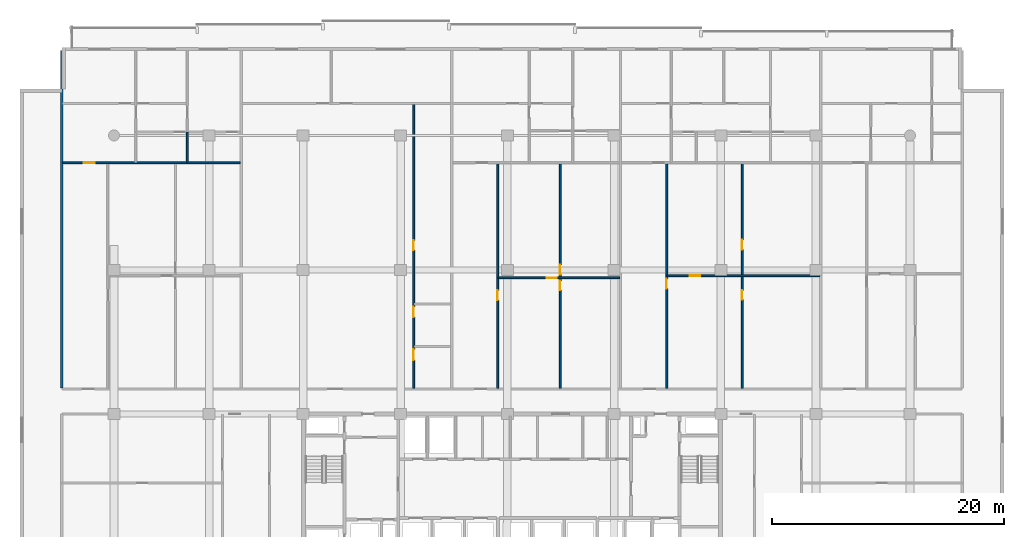
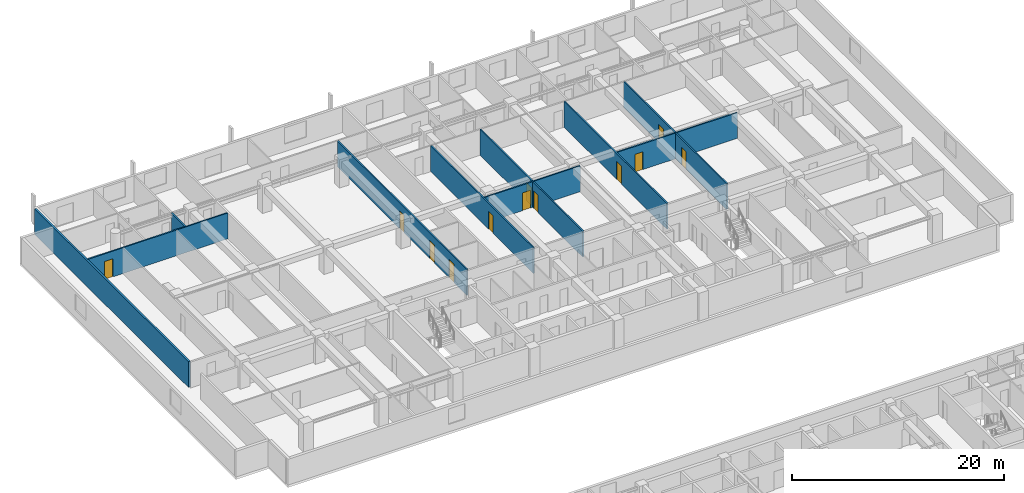
# One storey, part 13 of 23: 12 doors, 10 walls, 12 openings.
"""IFC4 building model written with IfcOpenShell, lengths in metres."""

from ifc_helpers import new_model, si_unit, direction, frame, frame_2d, origin, place, context, subcontext, project, spatial, rectangle, extrude, material, layer, layer_set, type_object, element, fill, save


model = new_model("IFC4")

# Units and contexts
model_context = context("Model", 3, precision=1e-05, world=origin(), true_north=direction((0.0, 1.0)))
body_context = subcontext(model_context, "Body", "Model", "MODEL_VIEW")
ifc_project = project(units=[si_unit("LENGTHUNIT", "METRE"), si_unit("AREAUNIT", "SQUARE_METRE"), si_unit("VOLUMEUNIT", "CUBIC_METRE"), si_unit("PLANEANGLEUNIT", "RADIAN"), si_unit("MASSUNIT", "GRAM", prefix="KILO")], contexts=[model_context])

# Site, building, storey
site_placement = place(None, origin())
site = spatial("IfcSite", under=ifc_project, at=site_placement, CompositionType="ELEMENT")
building_placement = place(site_placement, origin())
building = spatial("IfcBuilding", under=site, at=building_placement, Name="Korimba Cascade Residences", CompositionType="ELEMENT")
storey_placement = place(building_placement, frame((0.0, 0.0, 50.0)))
storey = spatial("IfcBuildingStorey", under=building, at=storey_placement, Name="L13", CompositionType="ELEMENT", Elevation=50.0)

# Walls
ifc_material_1 = material(Name="Precast concrete C40/50", Category="concrete")
ifc_layer_1 = layer(ifc_material_1, 0.199951171875)
ifc_layer_set_1 = layer_set([ifc_layer_1], Name="Precast concrete C40/50")
wall_type_1 = type_object("IfcWallType", Name="WAL-IT-200", PredefinedType="PARTITIONING", material=ifc_layer_set_1)
wall_1_placement = place(storey_placement, frame((55.300048828125, 69.429931640625, 0.0), z_axis=(0.0, 0.0, 1.0), x_axis=(0.0, 1.0, 0.0)))
element("IfcWall", 1, at=wall_1_placement, inside=storey, type_object=wall_type_1, Name="L13 Partition Wall WAL-L13-T1-BNDWL", PredefinedType="PARTITIONING", context=body_context, shape_type="SweptSolid", body=[
    extrude(rectangle(XDim=29.070068359375, YDim=0.199951171875, at=frame_2d((14.53515625, 0.0))), origin(), (0.0, 0.0, 1.0), 2.969970703125),
])
ifc_material_2 = material(Name="Insulated Acoustic Stud Partition", Category="gypsum")
ifc_layer_2 = layer(ifc_material_2, 0.14990234375)
ifc_layer_set_2 = layer_set([ifc_layer_2], Name="Insulated Acoustic Stud Partition")
wall_type_2 = type_object("IfcWallType", Name="WAL-PART-150", PredefinedType="PARTITIONING", material=ifc_layer_set_2)
wall_2_placement = place(storey_placement, frame((66.1201171875, 88.889892578125, 0.0), z_axis=(0.0, 0.0, 1.0), x_axis=(0.0, 1.0, 0.0)))
element("IfcWall", 2, at=wall_2_placement, inside=storey, type_object=wall_type_2, Name="L13 Partition Wall WAL-L13-T1-U01-VBATH", PredefinedType="PARTITIONING", context=body_context, shape_type="SweptSolid", body=[
    extrude(rectangle(XDim=2.580078125, YDim=0.14990234375, at=frame_2d((1.2900390625, 0.0))), origin(), (0.0, 0.0, 1.0), 2.969970703125),
])

# Wall, opening, door
wall_3_placement = place(storey_placement, frame((55.3798828125, 88.85009765625, 0.0), z_axis=(0.0, 0.0, 1.0), x_axis=(1.0, 0.0, 0.0)))
wall_3 = element("IfcWall", 3, at=wall_3_placement, inside=storey, type_object=wall_type_2, Name="L13 Partition Wall WAL-L13-T1-U01-MW", PredefinedType="PARTITIONING", context=body_context, shape_type="SweptSolid", body=[
    extrude(rectangle(XDim=15.29541015625, YDim=0.14990234375, at=frame_2d((7.647705078125, 0.0))), origin(), (0.0, 0.0, 1.0), 2.969970703125),
])
opening_1_placement = place(wall_3_placement, frame((1.830810546875, 0.0, 0.0)))
opening_1 = element("IfcOpeningElement", 4, at=opening_1_placement, cuts=wall_3, Name="Opening D-IN1", PredefinedType="OPENING", context=body_context, shape_type="SweptSolid", body=[
    extrude(rectangle(XDim=0.919921875, YDim=2.080078125, at=frame_2d((0.4599609375, 1.0400390625))), frame((0.0, 0.0849609375, 0.0), z_axis=(0.0, -1.0, 0.0), x_axis=(1.0, 0.0, 0.0)), (0.0, 0.0, 1.0), 0.169921875),
])
ifc_material_3 = material(Name="Acoustic Timber Living Door", Category="wood")
door_type_1 = type_object("IfcDoorType", Name="DR-INT-920", OperationType="NOTDEFINED", PredefinedType="DOOR", material=ifc_material_3)
door_1_placement = place(opening_1_placement, origin())
door_1 = element("IfcDoor", 5, at=door_1_placement, inside=storey, type_object=door_type_1, Name="L13-T1-U01 Kitchen Door", OperationType="SINGLE_SWING_RIGHT", OverallHeight=2.080078125, OverallWidth=0.919921875, PredefinedType="DOOR", context=body_context, shape_type="SweptSolid", body=[
    extrude(rectangle(XDim=0.919921875, YDim=2.080078125, at=frame_2d((0.4599609375, 1.0400390625))), frame((0.0, 0.02490234375, 0.0), z_axis=(0.0, -1.0, 0.0), x_axis=(1.0, 0.0, 0.0)), (0.0, 0.0, 1.0), 0.050048828125),
])
fill(opening_1, door_1)

# Wall, openings, doors
wall_4_placement = place(storey_placement, frame((85.624267578125, 69.409912109375, 0.0), z_axis=(0.0, 0.0, 1.0), x_axis=(0.0, 1.0, 0.0)))
wall_4 = element("IfcWall", 6, at=wall_4_placement, inside=storey, type_object=wall_type_2, Name="L13 Partition Wall WAL-L13-T1-U02-WCV", PredefinedType="PARTITIONING", context=body_context, shape_type="SweptSolid", body=[
    extrude(rectangle(XDim=24.47998046875, YDim=0.14990234375, at=frame_2d((12.239990234375, 0.0))), origin(), (0.0, 0.0, 1.0), 2.969970703125),
])
opening_2_placement = place(wall_4_placement, frame((2.406005859375, 0.0, 0.0)))
opening_2 = element("IfcOpeningElement", 7, at=opening_2_placement, cuts=wall_4, Name="Opening D-AC1", PredefinedType="OPENING", context=body_context, shape_type="SweptSolid", body=[
    extrude(rectangle(XDim=0.9599609375, YDim=2.10009765625, at=frame_2d((0.47998046875, 1.050048828125))), frame((0.0, 0.0849609375, 0.0), z_axis=(0.0, -1.0, 0.0), x_axis=(1.0, 0.0, 0.0)), (0.0, 0.0, 1.0), 0.169921875),
])
opening_3_placement = place(wall_4_placement, frame((6.132568359375, 0.0, 0.0)))
opening_3 = element("IfcOpeningElement", 8, at=opening_3_placement, cuts=wall_4, Name="Opening D-IN2", PredefinedType="OPENING", context=body_context, shape_type="SweptSolid", body=[
    extrude(rectangle(XDim=0.8798828125, YDim=2.06005859375, at=frame_2d((0.43994140625, 1.030029296875))), frame((0.0, 0.0849609375, 0.0), z_axis=(0.0, -1.0, 0.0), x_axis=(1.0, 0.0, 0.0)), (0.0, 0.0, 1.0), 0.169921875),
])
opening_4_placement = place(wall_4_placement, frame((11.91748046875, 0.0, 0.0)))
opening_4 = element("IfcOpeningElement", 9, at=opening_4_placement, cuts=wall_4, Name="Opening D-BT1", PredefinedType="OPENING", context=body_context, shape_type="SweptSolid", body=[
    extrude(rectangle(XDim=0.840087890625, YDim=2.0400390625, at=frame_2d((0.419921875, 1.02001953125))), frame((0.0, 0.0849609375, 0.0), z_axis=(0.0, -1.0, 0.0), x_axis=(1.0, 0.0, 0.0)), (0.0, 0.0, 1.0), 0.169921875),
])
ifc_material_4 = material(Name="Accessible Acoustic Timber WC Door", Category="wood")
door_type_2 = type_object("IfcDoorType", Name="DR-ACC-950", OperationType="NOTDEFINED", PredefinedType="DOOR", material=ifc_material_4)
door_2_placement = place(opening_2_placement, origin())
door_2 = element("IfcDoor", 10, at=door_2_placement, inside=storey, type_object=door_type_2, Name="L13-T1-U02 Accessible WC Door", OperationType="SINGLE_SWING_LEFT", OverallHeight=2.10009765625, OverallWidth=0.9599609375, PredefinedType="DOOR", context=body_context, shape_type="SweptSolid", body=[
    extrude(rectangle(XDim=0.9599609375, YDim=2.10009765625, at=frame_2d((0.47998046875, 1.050048828125))), frame((0.0, 0.02490234375, 0.0), z_axis=(0.0, -1.0, 0.0), x_axis=(1.0, 0.0, 0.0)), (0.0, 0.0, 1.0), 0.050048828125),
])
fill(opening_2, door_2)
ifc_material_5 = material(Name="Moisture-Resistant Bathroom Timber Door", Category="wood")
door_type_3 = type_object("IfcDoorType", Name="DR-INT-850", OperationType="NOTDEFINED", PredefinedType="DOOR", material=ifc_material_5)
door_3_placement = place(opening_4_placement, origin())
door_3 = element("IfcDoor", 11, at=door_3_placement, inside=storey, type_object=door_type_3, Name="L13-T1-U02 Suite Store Door", OperationType="SINGLE_SWING_LEFT", OverallHeight=2.0400390625, OverallWidth=0.840087890625, PredefinedType="DOOR", context=body_context, shape_type="SweptSolid", body=[
    extrude(rectangle(XDim=0.840087890625, YDim=2.0400390625, at=frame_2d((0.419921875, 1.02001953125))), frame((0.0, 0.02490234375, 0.0), z_axis=(0.0, -1.0, 0.0), x_axis=(1.0, 0.0, 0.0)), (0.0, 0.0, 1.0), 0.050048828125),
])
fill(opening_4, door_3)
ifc_material_6 = material(Name="Acoustic Timber Bedroom Door", Category="wood")
door_type_4 = type_object("IfcDoorType", Name="DR-INT-880", OperationType="NOTDEFINED", PredefinedType="DOOR", material=ifc_material_6)
door_4_placement = place(opening_3_placement, origin())
door_4 = element("IfcDoor", 12, at=door_4_placement, inside=storey, type_object=door_type_4, Name="L13-T1-U02 Restroom WC Door", OperationType="SINGLE_SWING_RIGHT", OverallHeight=2.06005859375, OverallWidth=0.8798828125, PredefinedType="DOOR", context=body_context, shape_type="SweptSolid", body=[
    extrude(rectangle(XDim=0.8798828125, YDim=2.06005859375, at=frame_2d((0.43994140625, 1.030029296875))), frame((0.0, 0.02490234375, 0.0), z_axis=(0.0, -1.0, 0.0), x_axis=(1.0, 0.0, 0.0)), (0.0, 0.0, 1.0), 0.050048828125),
])
fill(opening_3, door_4)

wall_5_placement = place(storey_placement, frame((98.2509765625, 69.409912109375, 0.0), z_axis=(0.0, 0.0, 1.0), x_axis=(0.0, 1.0, 0.0)))
wall_5 = element("IfcWall", 13, at=wall_5_placement, inside=storey, type_object=wall_type_2, Name="L13 Partition Wall WAL-L13-T1-U03-FMV", PredefinedType="PARTITIONING", context=body_context, shape_type="SweptSolid", body=[
    extrude(rectangle(XDim=19.400146484375, YDim=0.14990234375, at=frame_2d((9.7001953125, 0.0))), origin(), (0.0, 0.0, 1.0), 2.969970703125),
])
opening_5_placement = place(wall_5_placement, frame((8.429931640625, 0.0, 0.0)))
opening_5 = element("IfcOpeningElement", 14, at=opening_5_placement, cuts=wall_5, Name="Opening D-BT1", PredefinedType="OPENING", context=body_context, shape_type="SweptSolid", body=[
    extrude(rectangle(XDim=0.840087890625, YDim=2.0400390625, at=frame_2d((0.419921875, 1.02001953125))), frame((0.0, 0.0849609375, 0.0), z_axis=(0.0, -1.0, 0.0), x_axis=(1.0, 0.0, 0.0)), (0.0, 0.0, 1.0), 0.169921875),
])
opening_6_placement = place(wall_5_placement, frame((9.77001953125, 0.0, 0.0)))
opening_6 = element("IfcOpeningElement", 15, at=opening_6_placement, cuts=wall_5, Name="Opening D-IN2", PredefinedType="OPENING", context=body_context, shape_type="SweptSolid", body=[
    extrude(rectangle(XDim=0.8798828125, YDim=2.06005859375, at=frame_2d((0.43994140625, 1.030029296875))), frame((0.0, 0.0849609375, 0.0), z_axis=(0.0, -1.0, 0.0), x_axis=(1.0, 0.0, 0.0)), (0.0, 0.0, 1.0), 0.169921875),
])
door_5_placement = place(opening_5_placement, origin())
door_5 = element("IfcDoor", 16, at=door_5_placement, inside=storey, type_object=door_type_3, Name="L13-T1-U03 Wardrobe Door", OperationType="SINGLE_SWING_RIGHT", OverallHeight=2.0400390625, OverallWidth=0.840087890625, PredefinedType="DOOR", context=body_context, shape_type="SweptSolid", body=[
    extrude(rectangle(XDim=0.840087890625, YDim=2.0400390625, at=frame_2d((0.419921875, 1.02001953125))), frame((0.0, 0.02490234375, 0.0), z_axis=(0.0, -1.0, 0.0), x_axis=(1.0, 0.0, 0.0)), (0.0, 0.0, 1.0), 0.050048828125),
])
fill(opening_5, door_5)
door_6_placement = place(opening_6_placement, origin())
door_6 = element("IfcDoor", 17, at=door_6_placement, inside=storey, type_object=door_type_4, Name="L13-T1-U03 Music Lounge Door", OperationType="SINGLE_SWING_LEFT", OverallHeight=2.06005859375, OverallWidth=0.8798828125, PredefinedType="DOOR", context=body_context, shape_type="SweptSolid", body=[
    extrude(rectangle(XDim=0.8798828125, YDim=2.06005859375, at=frame_2d((0.43994140625, 1.030029296875))), frame((0.0, 0.02490234375, 0.0), z_axis=(0.0, -1.0, 0.0), x_axis=(1.0, 0.0, 0.0)), (0.0, 0.0, 1.0), 0.050048828125),
])
fill(opening_6, door_6)

# Wall, opening, door
wall_6_placement = place(storey_placement, frame((92.92431640625, 78.929931640625, 0.0), z_axis=(0.0, 0.0, 1.0), x_axis=(1.0, 0.0, 0.0)))
wall_6 = element("IfcWall", 18, at=wall_6_placement, inside=storey, type_object=wall_type_2, Name="L13 Partition Wall WAL-L13-T1-U03-FMH", PredefinedType="PARTITIONING", context=body_context, shape_type="SweptSolid", body=[
    extrude(rectangle(XDim=10.453125, YDim=0.14990234375, at=frame_2d((5.2265625, 0.0))), origin(), (0.0, 0.0, 1.0), 2.969970703125),
])
opening_7_placement = place(wall_6_placement, frame((4.149169921875, 0.0, 0.0)))
opening_7 = element("IfcOpeningElement", 19, at=opening_7_placement, cuts=wall_6, Name="Opening D-IN2", PredefinedType="OPENING", context=body_context, shape_type="SweptSolid", body=[
    extrude(rectangle(XDim=0.8798828125, YDim=2.06005859375, at=frame_2d((0.43994140625, 1.030029296875))), frame((0.0, 0.0849609375, 0.0), z_axis=(0.0, -1.0, 0.0), x_axis=(1.0, 0.0, 0.0)), (0.0, 0.0, 1.0), 0.169921875),
])
door_7_placement = place(opening_7_placement, origin())
door_7 = element("IfcDoor", 20, at=door_7_placement, inside=storey, type_object=door_type_4, Name="L13-T1-U03 Library Salon Door", OperationType="SINGLE_SWING_RIGHT", OverallHeight=2.06005859375, OverallWidth=0.8798828125, PredefinedType="DOOR", context=body_context, shape_type="SweptSolid", body=[
    extrude(rectangle(XDim=0.8798828125, YDim=2.06005859375, at=frame_2d((0.43994140625, 1.030029296875))), frame((0.0, 0.02490234375, 0.0), z_axis=(0.0, -1.0, 0.0), x_axis=(1.0, 0.0, 0.0)), (0.0, 0.0, 1.0), 0.050048828125),
])
fill(opening_7, door_7)

wall_7_placement = place(storey_placement, frame((92.8642578125, 69.409912109375, 0.0), z_axis=(0.0, 0.0, 1.0), x_axis=(0.0, 1.0, 0.0)))
wall_7 = element("IfcWall", 21, at=wall_7_placement, inside=storey, type_object=wall_type_2, Name="L13 Partition Wall WAL-L13-T1-U03-FV", PredefinedType="PARTITIONING", context=body_context, shape_type="SweptSolid", body=[
    extrude(rectangle(XDim=19.400146484375, YDim=0.14990234375, at=frame_2d((9.7001953125, 0.0))), origin(), (0.0, 0.0, 1.0), 2.969970703125),
])
opening_8_placement = place(wall_7_placement, frame((7.5859375, 0.0, 0.0)))
opening_8 = element("IfcOpeningElement", 22, at=opening_8_placement, cuts=wall_7, Name="Opening D-IN2", PredefinedType="OPENING", context=body_context, shape_type="SweptSolid", body=[
    extrude(rectangle(XDim=0.8798828125, YDim=2.06005859375, at=frame_2d((0.43994140625, 1.030029296875))), frame((0.0, 0.0849609375, 0.0), z_axis=(0.0, -1.0, 0.0), x_axis=(1.0, 0.0, 0.0)), (0.0, 0.0, 1.0), 0.169921875),
])
door_8_placement = place(opening_8_placement, origin())
door_8 = element("IfcDoor", 23, at=door_8_placement, inside=storey, type_object=door_type_4, Name="L13-T1-U03 Media Lounge Door", OperationType="SINGLE_SWING_LEFT", OverallHeight=2.06005859375, OverallWidth=0.8798828125, PredefinedType="DOOR", context=body_context, shape_type="SweptSolid", body=[
    extrude(rectangle(XDim=0.8798828125, YDim=2.06005859375, at=frame_2d((0.43994140625, 1.030029296875))), frame((0.0, 0.02490234375, 0.0), z_axis=(0.0, -1.0, 0.0), x_axis=(1.0, 0.0, 0.0)), (0.0, 0.0, 1.0), 0.050048828125),
])
fill(opening_8, door_8)

# Wall, openings, doors
wall_8_placement = place(storey_placement, frame((113.93603515625, 69.409912109375, 0.0), z_axis=(0.0, 0.0, 1.0), x_axis=(0.0, 1.0, 0.0)))
wall_8 = element("IfcWall", 24, at=wall_8_placement, inside=storey, type_object=wall_type_2, Name="L13 Partition Wall WAL-L13-T1-U04-FMV", PredefinedType="PARTITIONING", context=body_context, shape_type="SweptSolid", body=[
    extrude(rectangle(XDim=19.400146484375, YDim=0.14990234375, at=frame_2d((9.7001953125, 0.0))), origin(), (0.0, 0.0, 1.0), 2.969970703125),
])
opening_9_placement = place(wall_8_placement, frame((7.618896484375, 0.0, 0.0)))
opening_9 = element("IfcOpeningElement", 25, at=opening_9_placement, cuts=wall_8, Name="Opening D-BT1", PredefinedType="OPENING", context=body_context, shape_type="SweptSolid", body=[
    extrude(rectangle(XDim=0.840087890625, YDim=2.0400390625, at=frame_2d((0.419921875, 1.02001953125))), frame((0.0, 0.0849609375, 0.0), z_axis=(0.0, -1.0, 0.0), x_axis=(1.0, 0.0, 0.0)), (0.0, 0.0, 1.0), 0.169921875),
])
opening_10_placement = place(wall_8_placement, frame((11.9228515625, 0.0, 0.0)))
opening_10 = element("IfcOpeningElement", 26, at=opening_10_placement, cuts=wall_8, Name="Opening D-IN2", PredefinedType="OPENING", context=body_context, shape_type="SweptSolid", body=[
    extrude(rectangle(XDim=0.8798828125, YDim=2.06005859375, at=frame_2d((0.43994140625, 1.030029296875))), frame((0.0, 0.0849609375, 0.0), z_axis=(0.0, -1.0, 0.0), x_axis=(1.0, 0.0, 0.0)), (0.0, 0.0, 1.0), 0.169921875),
])
door_9_placement = place(opening_9_placement, origin())
door_9 = element("IfcDoor", 27, at=door_9_placement, inside=storey, type_object=door_type_3, Name="L13-T1-U04 Wardrobe Door", OperationType="SINGLE_SWING_LEFT", OverallHeight=2.0400390625, OverallWidth=0.840087890625, PredefinedType="DOOR", context=body_context, shape_type="SweptSolid", body=[
    extrude(rectangle(XDim=0.840087890625, YDim=2.0400390625, at=frame_2d((0.419921875, 1.02001953125))), frame((0.0, 0.02490234375, 0.0), z_axis=(0.0, -1.0, 0.0), x_axis=(1.0, 0.0, 0.0)), (0.0, 0.0, 1.0), 0.050048828125),
])
fill(opening_9, door_9)
door_10_placement = place(opening_10_placement, origin())
door_10 = element("IfcDoor", 28, at=door_10_placement, inside=storey, type_object=door_type_4, Name="L13-T1-U04 Music Lounge Door", OperationType="SINGLE_SWING_RIGHT", OverallHeight=2.06005859375, OverallWidth=0.8798828125, PredefinedType="DOOR", context=body_context, shape_type="SweptSolid", body=[
    extrude(rectangle(XDim=0.8798828125, YDim=2.06005859375, at=frame_2d((0.43994140625, 1.030029296875))), frame((0.0, 0.02490234375, 0.0), z_axis=(0.0, -1.0, 0.0), x_axis=(1.0, 0.0, 0.0)), (0.0, 0.0, 1.0), 0.050048828125),
])
fill(opening_10, door_10)

# Wall, opening, door
wall_9_placement = place(storey_placement, frame((107.487548828125, 79.110107421875, 0.0), z_axis=(0.0, 0.0, 1.0), x_axis=(1.0, 0.0, 0.0)))
wall_9 = element("IfcWall", 29, at=wall_9_placement, inside=storey, type_object=wall_type_2, Name="L13 Partition Wall WAL-L13-T1-U04-FMH", PredefinedType="PARTITIONING", context=body_context, shape_type="SweptSolid", body=[
    extrude(rectangle(XDim=13.136962890625, YDim=0.14990234375, at=frame_2d((6.568359375, 0.0))), origin(), (0.0, 0.0, 1.0), 2.969970703125),
])
opening_11_placement = place(wall_9_placement, frame((1.949462890625, 0.0, 0.0)))
opening_11 = element("IfcOpeningElement", 30, at=opening_11_placement, cuts=wall_9, Name="Opening D-IN2", PredefinedType="OPENING", context=body_context, shape_type="SweptSolid", body=[
    extrude(rectangle(XDim=0.8798828125, YDim=2.06005859375, at=frame_2d((0.43994140625, 1.030029296875))), frame((0.0, 0.0849609375, 0.0), z_axis=(0.0, -1.0, 0.0), x_axis=(1.0, 0.0, 0.0)), (0.0, 0.0, 1.0), 0.169921875),
])
door_11_placement = place(opening_11_placement, origin())
door_11 = element("IfcDoor", 31, at=door_11_placement, inside=storey, type_object=door_type_4, Name="L13-T1-U04 Library Salon Door", OperationType="SINGLE_SWING_LEFT", OverallHeight=2.06005859375, OverallWidth=0.8798828125, PredefinedType="DOOR", context=body_context, shape_type="SweptSolid", body=[
    extrude(rectangle(XDim=0.8798828125, YDim=2.06005859375, at=frame_2d((0.43994140625, 1.030029296875))), frame((0.0, 0.02490234375, 0.0), z_axis=(0.0, -1.0, 0.0), x_axis=(1.0, 0.0, 0.0)), (0.0, 0.0, 1.0), 0.050048828125),
])
fill(opening_11, door_11)

wall_10_placement = place(storey_placement, frame((107.427490234375, 69.409912109375, 0.0), z_axis=(0.0, 0.0, 1.0), x_axis=(0.0, 1.0, 0.0)))
wall_10 = element("IfcWall", 32, at=wall_10_placement, inside=storey, type_object=wall_type_2, Name="L13 Partition Wall WAL-L13-T1-U04-FV", PredefinedType="PARTITIONING", context=body_context, shape_type="SweptSolid", body=[
    extrude(rectangle(XDim=19.400146484375, YDim=0.14990234375, at=frame_2d((9.7001953125, 0.0))), origin(), (0.0, 0.0, 1.0), 2.969970703125),
])
opening_12_placement = place(wall_10_placement, frame((8.570068359375, 0.0, 0.0)))
opening_12 = element("IfcOpeningElement", 33, at=opening_12_placement, cuts=wall_10, Name="Opening D-IN2", PredefinedType="OPENING", context=body_context, shape_type="SweptSolid", body=[
    extrude(rectangle(XDim=0.8798828125, YDim=2.06005859375, at=frame_2d((0.43994140625, 1.030029296875))), frame((0.0, 0.0849609375, 0.0), z_axis=(0.0, -1.0, 0.0), x_axis=(1.0, 0.0, 0.0)), (0.0, 0.0, 1.0), 0.169921875),
])
door_12_placement = place(opening_12_placement, origin())
door_12 = element("IfcDoor", 34, at=door_12_placement, inside=storey, type_object=door_type_4, Name="L13-T1-U04 Media Lounge Door", OperationType="SINGLE_SWING_RIGHT", OverallHeight=2.06005859375, OverallWidth=0.8798828125, PredefinedType="DOOR", context=body_context, shape_type="SweptSolid", body=[
    extrude(rectangle(XDim=0.8798828125, YDim=2.06005859375, at=frame_2d((0.43994140625, 1.030029296875))), frame((0.0, 0.02490234375, 0.0), z_axis=(0.0, -1.0, 0.0), x_axis=(1.0, 0.0, 0.0)), (0.0, 0.0, 1.0), 0.050048828125),
])
fill(opening_12, door_12)

save(model, "model.ifc")
